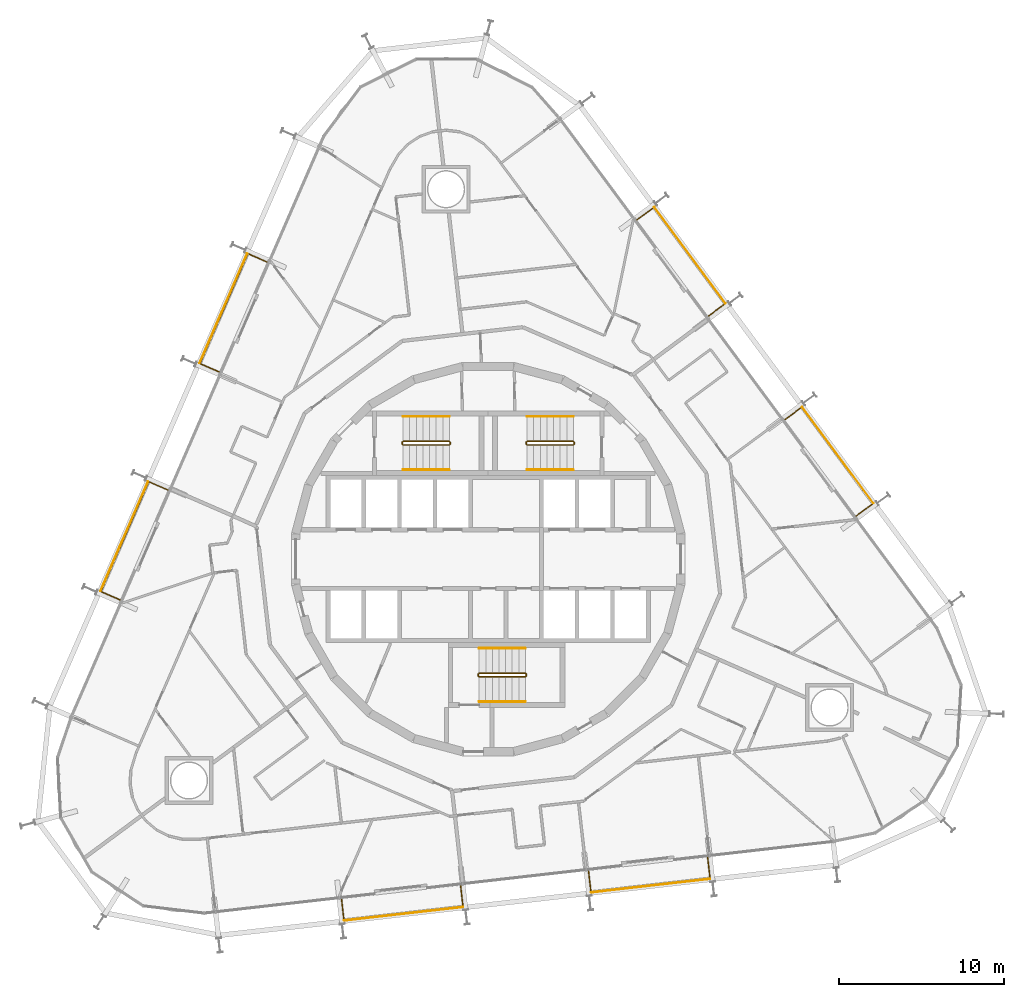
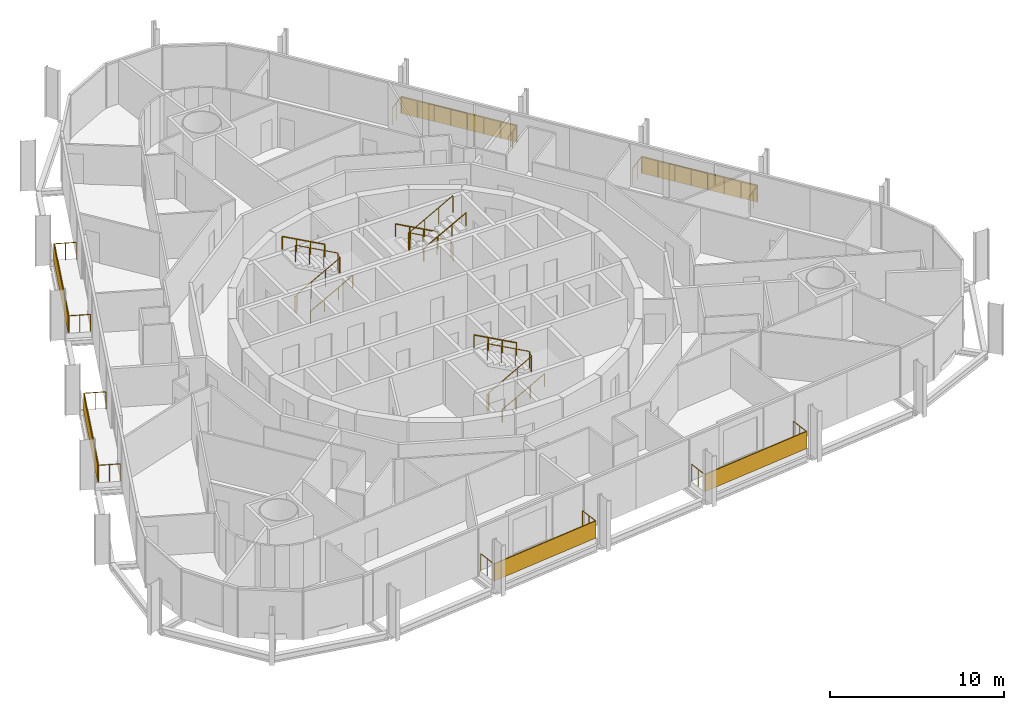
# One storey, part 23 of 23: 15 railings, 6 shading devices.
"""IFC4 building model written with IfcOpenShell, lengths in metres."""

from ifc_helpers import new_model, si_unit, direction, frame, origin, origin_2d, place, context, subcontext, project, spatial, rectangle, circle, extrude, material, layer, layer_set, type_object, element, save


model = new_model("IFC4")

# Units and contexts
model_context = context("Model", 3, precision=1e-05, world=origin(), true_north=direction((0.0, 1.0)))
body_context = subcontext(model_context, "Body", "Model", "MODEL_VIEW")
ifc_project = project(units=[si_unit("LENGTHUNIT", "METRE"), si_unit("AREAUNIT", "SQUARE_METRE"), si_unit("VOLUMEUNIT", "CUBIC_METRE"), si_unit("PLANEANGLEUNIT", "RADIAN"), si_unit("MASSUNIT", "GRAM", prefix="KILO")], contexts=[model_context])

# Site, building, storey
site_placement = place(None, origin())
site = spatial("IfcSite", under=ifc_project, at=site_placement, CompositionType="ELEMENT")
building_placement = place(site_placement, origin())
building = spatial("IfcBuilding", under=site, at=building_placement, Name="Spindle Arch Residences", CompositionType="ELEMENT")
storey_placement = place(building_placement, frame((0.0, 0.0, 83.699951171875)))
storey = spatial("IfcBuildingStorey", under=building, at=storey_placement, Name="L19", CompositionType="ELEMENT", Elevation=83.699951171875)

# Railings
ifc_material_1 = material(Name="Bronze anodised aluminium guard with glass infill", Category="aluminium")
railing_type_1 = type_object("IfcRailingType", Name="Balcony guard 1200", PredefinedType="GUARDRAIL", material=ifc_material_1)
railing_1_placement = place(storey_placement, frame((6.07080078125, -18.881591796875, 0.0)))
element("IfcRailing", 1, at=railing_1_placement, inside=storey, type_object=railing_type_1, Name="Guard L19 bay 1", PredefinedType="GUARDRAIL", context=body_context, shape_type="SweptSolid", body=[
    extrude(circle(Radius=0.02392578125, at=origin_2d()), frame((0.0, 0.0, 1.17578125), z_axis=(0.11328218126, -0.993562855289, 0.0), x_axis=(0.993562855289, 0.11328218126, 0.0)), (0.0, 0.0, 1.0), 1.25),
    extrude(circle(Radius=0.02392578125, at=origin_2d()), frame((0.1416015625, -1.241943359375, 1.17578125), z_axis=(0.993572236179, 0.113199874095, 0.0), x_axis=(-0.113199874095, 0.993572236179, 0.0)), (0.0, 0.0, 1.0), 7.248779296875),
    extrude(circle(Radius=0.02392578125, at=origin_2d()), frame((7.34375, -0.42138671875, 1.17578125), z_axis=(-0.113089367196, 0.993584820248, 0.0), x_axis=(-0.993584820248, -0.113089367196, 0.0)), (0.0, 0.0, 1.0), 1.25),
    extrude(circle(Radius=0.02099609375, at=origin_2d()), origin(), (0.0, 0.0, 1.0), 1.15185546875),
    extrude(circle(Radius=0.02099609375, at=origin_2d()), frame((0.07080078125, -0.62109375, 0.0)), (0.0, 0.0, 1.0), 1.15185546875),
    extrude(circle(Radius=0.02099609375, at=origin_2d()), frame((0.1416015625, -1.241943359375, 0.0)), (0.0, 0.0, 1.0), 1.15185546875),
    extrude(circle(Radius=0.02099609375, at=origin_2d()), frame((1.17041015625, -1.124755859375, 0.0)), (0.0, 0.0, 1.0), 1.15185546875),
    extrude(circle(Radius=0.02099609375, at=origin_2d()), frame((2.199462890625, -1.007568359375, 0.0)), (0.0, 0.0, 1.0), 1.15185546875),
    extrude(circle(Radius=0.02099609375, at=origin_2d()), frame((3.228271484375, -0.890380859375, 0.0)), (0.0, 0.0, 1.0), 1.15185546875),
    extrude(circle(Radius=0.02099609375, at=origin_2d()), frame((4.257080078125, -0.77294921875, 0.0)), (0.0, 0.0, 1.0), 1.15185546875),
    extrude(circle(Radius=0.02099609375, at=origin_2d()), frame((5.285888671875, -0.65576171875, 0.0)), (0.0, 0.0, 1.0), 1.15185546875),
    extrude(circle(Radius=0.02099609375, at=origin_2d()), frame((6.31494140625, -0.53857421875, 0.0)), (0.0, 0.0, 1.0), 1.15185546875),
    extrude(circle(Radius=0.02099609375, at=origin_2d()), frame((7.34375, -0.42138671875, 0.0)), (0.0, 0.0, 1.0), 1.15185546875),
    extrude(circle(Radius=0.02099609375, at=origin_2d()), frame((7.27294921875, 0.19970703125, 0.0)), (0.0, 0.0, 1.0), 1.15185546875),
    extrude(circle(Radius=0.02099609375, at=origin_2d()), frame((7.202392578125, 0.820556640625, 0.0)), (0.0, 0.0, 1.0), 1.15185546875),
])
railing_2_placement = place(storey_placement, frame((22.26123046875, 2.6103515625, 0.0)))
element("IfcRailing", 2, at=railing_2_placement, inside=storey, type_object=railing_type_1, Name="Guard L19 bay 7", PredefinedType="GUARDRAIL", context=body_context, shape_type="SweptSolid", body=[
    extrude(circle(Radius=0.02392578125, at=origin_2d()), frame((0.0, 0.0, 1.17578125), z_axis=(0.803920341668, 0.594736987459, 0.0), x_axis=(-0.594736987459, 0.803920341668, 0.0)), (0.0, 0.0, 1.0), 1.25),
    extrude(circle(Radius=0.02392578125, at=origin_2d()), frame((1.0048828125, 0.743408203125, 1.17578125), z_axis=(-0.594814278624, 0.803863156231, 0.0), x_axis=(-0.803863156231, -0.594814278624, 0.0)), (0.0, 0.0, 1.0), 7.2490234375),
    extrude(circle(Radius=0.02392578125, at=origin_2d()), frame((-3.306884765625, 6.570556640625, 1.17578125), z_axis=(-0.803826957932, -0.594863195787, 0.0), x_axis=(0.594863195787, -0.803826957932, 0.0)), (0.0, 0.0, 1.0), 1.250244140625),
    extrude(circle(Radius=0.02099609375, at=origin_2d()), origin(), (0.0, 0.0, 1.0), 1.15185546875),
    extrude(circle(Radius=0.02099609375, at=origin_2d()), frame((0.50244140625, 0.37158203125, 0.0)), (0.0, 0.0, 1.0), 1.15185546875),
    extrude(circle(Radius=0.02099609375, at=origin_2d()), frame((1.0048828125, 0.743408203125, 0.0)), (0.0, 0.0, 1.0), 1.15185546875),
    extrude(circle(Radius=0.02099609375, at=origin_2d()), frame((0.388916015625, 1.575927734375, 0.0)), (0.0, 0.0, 1.0), 1.15185546875),
    extrude(circle(Radius=0.02099609375, at=origin_2d()), frame((-0.22705078125, 2.408203125, 0.0)), (0.0, 0.0, 1.0), 1.15185546875),
    extrude(circle(Radius=0.02099609375, at=origin_2d()), frame((-0.843017578125, 3.24072265625, 0.0)), (0.0, 0.0, 1.0), 1.15185546875),
    extrude(circle(Radius=0.02099609375, at=origin_2d()), frame((-1.458984375, 4.0732421875, 0.0)), (0.0, 0.0, 1.0), 1.15185546875),
    extrude(circle(Radius=0.02099609375, at=origin_2d()), frame((-2.074951171875, 4.90576171875, 0.0)), (0.0, 0.0, 1.0), 1.15185546875),
    extrude(circle(Radius=0.02099609375, at=origin_2d()), frame((-2.69091796875, 5.738037109375, 0.0)), (0.0, 0.0, 1.0), 1.15185546875),
    extrude(circle(Radius=0.02099609375, at=origin_2d()), frame((-3.306884765625, 6.570556640625, 0.0)), (0.0, 0.0, 1.0), 1.15185546875),
    extrude(circle(Radius=0.02099609375, at=origin_2d()), frame((-3.809326171875, 6.19873046875, 0.0)), (0.0, 0.0, 1.0), 1.15185546875),
    extrude(circle(Radius=0.02099609375, at=origin_2d()), frame((-4.311767578125, 5.826904296875, 0.0)), (0.0, 0.0, 1.0), 1.15185546875),
])
railing_3_placement = place(storey_placement, frame((13.316650390625, 14.698486328125, 0.0)))
element("IfcRailing", 3, at=railing_3_placement, inside=storey, type_object=railing_type_1, Name="Guard L19 bay 9", PredefinedType="GUARDRAIL", context=body_context, shape_type="SweptSolid", body=[
    extrude(circle(Radius=0.02392578125, at=origin_2d()), frame((0.0, 0.0, 1.17578125), z_axis=(0.803851239792, 0.594830382786, 0.0), x_axis=(-0.594830382786, 0.803851239792, 0.0)), (0.0, 0.0, 1.0), 1.249755859375),
    extrude(circle(Radius=0.02392578125, at=origin_2d()), frame((1.004638671875, 0.743408203125, 1.17578125), z_axis=(-0.594830382786, 0.803851239792, 0.0), x_axis=(-0.803851239792, -0.594830382786, 0.0)), (0.0, 0.0, 1.0), 7.248779296875),
    extrude(circle(Radius=0.02392578125, at=origin_2d()), frame((-3.30712890625, 6.5703125, 1.17578125), z_axis=(-0.803851239792, -0.594830382786, 0.0), x_axis=(0.594830382786, -0.803851239792, 0.0)), (0.0, 0.0, 1.0), 1.249755859375),
    extrude(circle(Radius=0.02099609375, at=origin_2d()), origin(), (0.0, 0.0, 1.0), 1.15185546875),
    extrude(circle(Radius=0.02099609375, at=origin_2d()), frame((0.50244140625, 0.37158203125, 0.0)), (0.0, 0.0, 1.0), 1.15185546875),
    extrude(circle(Radius=0.02099609375, at=origin_2d()), frame((1.004638671875, 0.743408203125, 0.0)), (0.0, 0.0, 1.0), 1.15185546875),
    extrude(circle(Radius=0.02099609375, at=origin_2d()), frame((0.388671875, 1.575927734375, 0.0)), (0.0, 0.0, 1.0), 1.15185546875),
    extrude(circle(Radius=0.02099609375, at=origin_2d()), frame((-0.227294921875, 2.408203125, 0.0)), (0.0, 0.0, 1.0), 1.15185546875),
    extrude(circle(Radius=0.02099609375, at=origin_2d()), frame((-0.84326171875, 3.24072265625, 0.0)), (0.0, 0.0, 1.0), 1.15185546875),
    extrude(circle(Radius=0.02099609375, at=origin_2d()), frame((-1.459228515625, 4.072998046875, 0.0)), (0.0, 0.0, 1.0), 1.15185546875),
    extrude(circle(Radius=0.02099609375, at=origin_2d()), frame((-2.0751953125, 4.905517578125, 0.0)), (0.0, 0.0, 1.0), 1.15185546875),
    extrude(circle(Radius=0.02099609375, at=origin_2d()), frame((-2.691162109375, 5.73779296875, 0.0)), (0.0, 0.0, 1.0), 1.15185546875),
    extrude(circle(Radius=0.02099609375, at=origin_2d()), frame((-3.30712890625, 6.5703125, 0.0)), (0.0, 0.0, 1.0), 1.15185546875),
    extrude(circle(Radius=0.02099609375, at=origin_2d()), frame((-3.8095703125, 6.19873046875, 0.0)), (0.0, 0.0, 1.0), 1.15185546875),
    extrude(circle(Radius=0.02099609375, at=origin_2d()), frame((-4.311767578125, 5.826904296875, 0.0)), (0.0, 0.0, 1.0), 1.15185546875),
])
railing_4_placement = place(storey_placement, frame((-13.39111328125, 17.9736328125, 0.0)))
element("IfcRailing", 4, at=railing_4_placement, inside=storey, type_object=railing_type_1, Name="Guard L19 bay 15", PredefinedType="GUARDRAIL", context=body_context, shape_type="SweptSolid", body=[
    extrude(circle(Radius=0.02392578125, at=origin_2d()), frame((0.0, 0.0, 1.17578125), z_axis=(-0.917051427253, 0.398768955377, 0.0), x_axis=(-0.398768955377, -0.917051427253, 0.0)), (0.0, 0.0, 1.0), 1.250244140625),
    extrude(circle(Radius=0.02392578125, at=origin_2d()), frame((-1.146484375, 0.49853515625, 1.17578125), z_axis=(-0.398734732131, -0.917066308067, 0.0), x_axis=(0.917066308067, -0.398734732131, 0.0)), (0.0, 0.0, 1.0), 7.248779296875),
    extrude(circle(Radius=0.02392578125, at=origin_2d()), frame((-4.036865234375, -6.149169921875, 1.17578125), z_axis=(0.917091793142, -0.398676112844, 0.0), x_axis=(0.398676112844, 0.917091793142, 0.0)), (0.0, 0.0, 1.0), 1.249755859375),
    extrude(circle(Radius=0.02099609375, at=origin_2d()), origin(), (0.0, 0.0, 1.0), 1.15185546875),
    extrude(circle(Radius=0.02099609375, at=origin_2d()), frame((-0.5732421875, 0.249267578125, 0.0)), (0.0, 0.0, 1.0), 1.15185546875),
    extrude(circle(Radius=0.02099609375, at=origin_2d()), frame((-1.146484375, 0.49853515625, 0.0)), (0.0, 0.0, 1.0), 1.15185546875),
    extrude(circle(Radius=0.02099609375, at=origin_2d()), frame((-1.559326171875, -0.451171875, 0.0)), (0.0, 0.0, 1.0), 1.15185546875),
    extrude(circle(Radius=0.02099609375, at=origin_2d()), frame((-1.972412109375, -1.40087890625, 0.0)), (0.0, 0.0, 1.0), 1.15185546875),
    extrude(circle(Radius=0.02099609375, at=origin_2d()), frame((-2.38525390625, -2.3505859375, 0.0)), (0.0, 0.0, 1.0), 1.15185546875),
    extrude(circle(Radius=0.02099609375, at=origin_2d()), frame((-2.798095703125, -3.300048828125, 0.0)), (0.0, 0.0, 1.0), 1.15185546875),
    extrude(circle(Radius=0.02099609375, at=origin_2d()), frame((-3.2109375, -4.249755859375, 0.0)), (0.0, 0.0, 1.0), 1.15185546875),
    extrude(circle(Radius=0.02099609375, at=origin_2d()), frame((-3.6240234375, -5.199462890625, 0.0)), (0.0, 0.0, 1.0), 1.15185546875),
    extrude(circle(Radius=0.02099609375, at=origin_2d()), frame((-4.036865234375, -6.149169921875, 0.0)), (0.0, 0.0, 1.0), 1.15185546875),
    extrude(circle(Radius=0.02099609375, at=origin_2d()), frame((-3.4638671875, -6.3984375, 0.0)), (0.0, 0.0, 1.0), 1.15185546875),
    extrude(circle(Radius=0.02099609375, at=origin_2d()), frame((-2.890625, -6.6474609375, 0.0)), (0.0, 0.0, 1.0), 1.15185546875),
])
railing_5_placement = place(storey_placement, frame((-19.387451171875, 4.183349609375, 0.0)))
element("IfcRailing", 5, at=railing_5_placement, inside=storey, type_object=railing_type_1, Name="Guard L19 bay 17", PredefinedType="GUARDRAIL", context=body_context, shape_type="SweptSolid", body=[
    extrude(circle(Radius=0.02392578125, at=origin_2d()), frame((0.0, 0.0, 1.17578125), z_axis=(-0.917091793142, 0.398676112844, 0.0), x_axis=(-0.398676112844, -0.917091793142, 0.0)), (0.0, 0.0, 1.0), 1.249755859375),
    extrude(circle(Radius=0.02392578125, at=origin_2d()), frame((-1.146240234375, 0.498291015625, 1.17578125), z_axis=(-0.39877537304, -0.917048636582, 0.0), x_axis=(0.917048636582, -0.39877537304, 0.0)), (0.0, 0.0, 1.0), 7.248779296875),
    extrude(circle(Radius=0.02392578125, at=origin_2d()), frame((-4.036865234375, -6.149169921875, 1.17578125), z_axis=(0.917051427253, -0.398768955377, 0.0), x_axis=(0.398768955377, 0.917051427253, 0.0)), (0.0, 0.0, 1.0), 1.250244140625),
    extrude(circle(Radius=0.02099609375, at=origin_2d()), origin(), (0.0, 0.0, 1.0), 1.15185546875),
    extrude(circle(Radius=0.02099609375, at=origin_2d()), frame((-0.5732421875, 0.2490234375, 0.0)), (0.0, 0.0, 1.0), 1.15185546875),
    extrude(circle(Radius=0.02099609375, at=origin_2d()), frame((-1.146240234375, 0.498291015625, 0.0)), (0.0, 0.0, 1.0), 1.15185546875),
    extrude(circle(Radius=0.02099609375, at=origin_2d()), frame((-1.55908203125, -0.451416015625, 0.0)), (0.0, 0.0, 1.0), 1.15185546875),
    extrude(circle(Radius=0.02099609375, at=origin_2d()), frame((-1.97216796875, -1.40087890625, 0.0)), (0.0, 0.0, 1.0), 1.15185546875),
    extrude(circle(Radius=0.02099609375, at=origin_2d()), frame((-2.385009765625, -2.3505859375, 0.0)), (0.0, 0.0, 1.0), 1.15185546875),
    extrude(circle(Radius=0.02099609375, at=origin_2d()), frame((-2.798095703125, -3.30029296875, 0.0)), (0.0, 0.0, 1.0), 1.15185546875),
    extrude(circle(Radius=0.02099609375, at=origin_2d()), frame((-3.2109375, -4.25, 0.0)), (0.0, 0.0, 1.0), 1.15185546875),
    extrude(circle(Radius=0.02099609375, at=origin_2d()), frame((-3.6240234375, -5.199462890625, 0.0)), (0.0, 0.0, 1.0), 1.15185546875),
    extrude(circle(Radius=0.02099609375, at=origin_2d()), frame((-4.036865234375, -6.149169921875, 0.0)), (0.0, 0.0, 1.0), 1.15185546875),
    extrude(circle(Radius=0.02099609375, at=origin_2d()), frame((-3.463623046875, -6.3984375, 0.0)), (0.0, 0.0, 1.0), 1.15185546875),
    extrude(circle(Radius=0.02099609375, at=origin_2d()), frame((-2.890380859375, -6.647705078125, 0.0)), (0.0, 0.0, 1.0), 1.15185546875),
])
railing_6_placement = place(storey_placement, frame((-8.8701171875, -20.583984375, 0.0)))
element("IfcRailing", 6, at=railing_6_placement, inside=storey, type_object=railing_type_1, Name="Guard L19 bay 23", PredefinedType="GUARDRAIL", context=body_context, shape_type="SweptSolid", body=[
    extrude(circle(Radius=0.02392578125, at=origin_2d()), frame((0.0, 0.0, 1.17578125), z_axis=(0.11328218126, -0.993562855289, 0.0), x_axis=(0.993562855289, 0.11328218126, 0.0)), (0.0, 0.0, 1.0), 1.25),
    extrude(circle(Radius=0.02392578125, at=origin_2d()), frame((0.1416015625, -1.241943359375, 1.17578125), z_axis=(0.993572236179, 0.113199874095, 0.0), x_axis=(-0.113199874095, 0.993572236179, 0.0)), (0.0, 0.0, 1.0), 7.248779296875),
    extrude(circle(Radius=0.02392578125, at=origin_2d()), frame((7.34375, -0.42138671875, 1.17578125), z_axis=(-0.11328218126, 0.993562855289, 0.0), x_axis=(-0.993562855289, -0.11328218126, 0.0)), (0.0, 0.0, 1.0), 1.25),
    extrude(circle(Radius=0.02099609375, at=origin_2d()), origin(), (0.0, 0.0, 1.0), 1.15185546875),
    extrude(circle(Radius=0.02099609375, at=origin_2d()), frame((0.07080078125, -0.62109375, 0.0)), (0.0, 0.0, 1.0), 1.15185546875),
    extrude(circle(Radius=0.02099609375, at=origin_2d()), frame((0.1416015625, -1.241943359375, 0.0)), (0.0, 0.0, 1.0), 1.15185546875),
    extrude(circle(Radius=0.02099609375, at=origin_2d()), frame((1.17041015625, -1.124755859375, 0.0)), (0.0, 0.0, 1.0), 1.15185546875),
    extrude(circle(Radius=0.02099609375, at=origin_2d()), frame((2.199462890625, -1.007568359375, 0.0)), (0.0, 0.0, 1.0), 1.15185546875),
    extrude(circle(Radius=0.02099609375, at=origin_2d()), frame((3.228271484375, -0.890380859375, 0.0)), (0.0, 0.0, 1.0), 1.15185546875),
    extrude(circle(Radius=0.02099609375, at=origin_2d()), frame((4.257080078125, -0.77294921875, 0.0)), (0.0, 0.0, 1.0), 1.15185546875),
    extrude(circle(Radius=0.02099609375, at=origin_2d()), frame((5.285888671875, -0.65576171875, 0.0)), (0.0, 0.0, 1.0), 1.15185546875),
    extrude(circle(Radius=0.02099609375, at=origin_2d()), frame((6.31494140625, -0.53857421875, 0.0)), (0.0, 0.0, 1.0), 1.15185546875),
    extrude(circle(Radius=0.02099609375, at=origin_2d()), frame((7.34375, -0.42138671875, 0.0)), (0.0, 0.0, 1.0), 1.15185546875),
    extrude(circle(Radius=0.02099609375, at=origin_2d()), frame((7.27294921875, 0.19970703125, 0.0)), (0.0, 0.0, 1.0), 1.15185546875),
    extrude(circle(Radius=0.02099609375, at=origin_2d()), frame((7.2021484375, 0.820556640625, 0.0)), (0.0, 0.0, 1.0), 1.15185546875),
])

# Shading devices
ifc_material_2 = material(Name="Bronze perforated cobogo screen")
ifc_layer = layer(ifc_material_2, 0.0390625)
ifc_layer_set = layer_set([ifc_layer], Name="Cobogo screen 1200")
shading_device_type = type_object("IfcShadingDeviceType", Name="Cobogo screen 1200", PredefinedType="USERDEFINED", material=ifc_layer_set)
for number, where, z_axis, x_axis, name in (
    (7, (9.818115234375, -19.753662109375, 0.0), (0.0, 0.0, 1.0), (0.993571855677, 0.113203213768, 0.0), "Cobogo screen L19 bay 1"),
    (8, (21.142822265625, 6.29150390625, 0.0), (0.0, 0.0, 1.0), (-0.594822786751, 0.803856860617, 0.0), "Cobogo screen L19 bay 7"),
    (9, (12.197998046875, 18.37939453125, 0.0), (0.0, 0.0, 1.0), (-0.594822786751, 0.803856860617, 0.0), "Cobogo screen L19 bay 9"),
    (10, (-16.019775390625, 15.16455078125, 0.0), (0.0, 0.0, 1.0), (-0.398749068925, -0.917060074385, 0.0), "Cobogo screen L19 bay 15"),
    (11, (-22.01611328125, 1.3740234375, 0.0), (0.0, 0.0, 1.0), (-0.398749068925, -0.917060074385, 0.0), "Cobogo screen L19 bay 17"),
    (12, (-5.122802734375, -21.455810546875, 0.0), (0.0, 0.0, 1.0), (0.993571855677, 0.113203213768, 0.0), "Cobogo screen L19 bay 23"),
):
    element("IfcShadingDevice", number, at=place(storey_placement, frame(where, z_axis=z_axis, x_axis=x_axis)), inside=storey, type_object=shading_device_type, Name=name, ObjectType="SCREEN", PredefinedType="USERDEFINED", context=body_context, shape_type="SweptSolid", body=[
        extrude(rectangle(XDim=7.248779296875, YDim=0.0390625, at=origin_2d()), origin(), (0.0, 0.0, 1.0), 1.199951171875),
    ])

# Railings
ifc_material_3 = material(Name="Steel, painted", Category="steel")
railing_type_2 = type_object("IfcRailingType", Name="Stair guard 1100", PredefinedType="GUARDRAIL", material=ifc_material_3)
railing_7_placement = place(storey_placement, frame((5.14990234375, 6.89990234375, 3.5)))
element("IfcRailing", 13, at=railing_7_placement, inside=storey, type_object=railing_type_2, Name="L19 ST1 stair guard 1", PredefinedType="GUARDRAIL", context=body_context, shape_type="SweptSolid", body=[
    extrude(circle(Radius=0.02392578125, at=origin_2d()), frame((0.0, 0.0, 1.17578125), z_axis=(-0.877357048833, 0.0, -0.479838106931), x_axis=(0.0, -1.0, 0.0)), (0.0, 0.0, 1.0), 3.191162109375),
    extrude(circle(Radius=0.02392578125, at=origin_2d()), frame((-2.7998046875, 0.0, -0.35546875), z_axis=(-0.217683172539, 0.217683172539, -0.951434744366), x_axis=(-0.707106781187, -0.707106781187, 0.0)), (0.0, 0.0, 1.0), 0.22998046875),
    extrude(circle(Radius=0.02392578125, at=origin_2d()), frame((-2.849853515625, 0.050048828125, -0.57421875), z_axis=(0.0, 1.0, 0.0), x_axis=(-1.0, 0.0, 0.0)), (0.0, 0.0, 1.0), 0.1201171875),
    extrude(circle(Radius=0.02392578125, at=origin_2d()), frame((-2.849853515625, 0.170166015625, -0.57421875), z_axis=(0.707106781187, 0.707106781187, 0.0), x_axis=(-0.707106781187, 0.707106781187, 0.0)), (0.0, 0.0, 1.0), 0.07080078125),
    extrude(circle(Radius=0.02392578125, at=origin_2d()), frame((-2.7998046875, 0.22021484375, -0.57421875), z_axis=(0.877357048833, 0.0, -0.479838106931), x_axis=(0.0, 1.0, 0.0)), (0.0, 0.0, 1.0), 3.191162109375),
    extrude(circle(Radius=0.02392578125, at=origin_2d()), frame((0.0, 0.22021484375, -2.10546875), z_axis=(0.217683172539, -0.217683172539, -0.951434744366), x_axis=(0.707106781187, 0.707106781187, 0.0)), (0.0, 0.0, 1.0), 0.22998046875),
    extrude(circle(Radius=0.02392578125, at=origin_2d()), frame((0.050048828125, 0.170166015625, -2.32421875), z_axis=(0.0, -1.0, 0.0), x_axis=(1.0, 0.0, 0.0)), (0.0, 0.0, 1.0), 0.1201171875),
    extrude(circle(Radius=0.02099609375, at=origin_2d()), origin(), (0.0, 0.0, 1.0), 1.15185546875),
    extrude(circle(Radius=0.02099609375, at=origin_2d()), frame((-0.933349609375, 0.0, -0.510498046875)), (0.0, 0.0, 1.0), 1.15185546875),
    extrude(circle(Radius=0.02099609375, at=origin_2d()), frame((-1.866455078125, 0.0, -1.020751953125)), (0.0, 0.0, 1.0), 1.15185546875),
    extrude(circle(Radius=0.02099609375, at=origin_2d()), frame((-2.7998046875, 0.0, -1.53125)), (0.0, 0.0, 1.0), 1.15185546875),
    extrude(circle(Radius=0.02099609375, at=origin_2d()), frame((-2.849853515625, 0.050048828125, -1.75)), (0.0, 0.0, 1.0), 1.15185546875),
    extrude(circle(Radius=0.02099609375, at=origin_2d()), frame((-2.849853515625, 0.170166015625, -1.75)), (0.0, 0.0, 1.0), 1.15185546875),
    extrude(circle(Radius=0.02099609375, at=origin_2d()), frame((-2.7998046875, 0.22021484375, -1.75)), (0.0, 0.0, 1.0), 1.15185546875),
    extrude(circle(Radius=0.02099609375, at=origin_2d()), frame((-1.866455078125, 0.22021484375, -2.260498046875)), (0.0, 0.0, 1.0), 1.15185546875),
    extrude(circle(Radius=0.02099609375, at=origin_2d()), frame((-0.933349609375, 0.22021484375, -2.770751953125)), (0.0, 0.0, 1.0), 1.15185546875),
    extrude(circle(Radius=0.02099609375, at=origin_2d()), frame((0.0, 0.22021484375, -3.28125)), (0.0, 0.0, 1.0), 1.15185546875),
    extrude(circle(Radius=0.02099609375, at=origin_2d()), frame((0.050048828125, 0.170166015625, -3.5)), (0.0, 0.0, 1.0), 1.15185546875),
    extrude(circle(Radius=0.02099609375, at=origin_2d()), frame((0.050048828125, 0.050048828125, -3.5)), (0.0, 0.0, 1.0), 1.15185546875),
])
railing_8_placement = place(storey_placement, frame((-5.14990234375, 7.1201171875, 3.5)))
element("IfcRailing", 14, at=railing_8_placement, inside=storey, type_object=railing_type_2, Name="L19 ST2 stair guard 1", PredefinedType="GUARDRAIL", context=body_context, shape_type="SweptSolid", body=[
    extrude(circle(Radius=0.02392578125, at=origin_2d()), frame((0.0, 0.0, 1.17578125), z_axis=(0.877357048833, 0.0, -0.479838106931), x_axis=(0.0, 1.0, 0.0)), (0.0, 0.0, 1.0), 3.191162109375),
    extrude(circle(Radius=0.02392578125, at=origin_2d()), frame((2.7998046875, 0.0, -0.35546875), z_axis=(0.217683172539, -0.217683172539, -0.951434744366), x_axis=(0.707106781187, 0.707106781187, 0.0)), (0.0, 0.0, 1.0), 0.22998046875),
    extrude(circle(Radius=0.02392578125, at=origin_2d()), frame((2.849853515625, -0.050048828125, -0.57421875), z_axis=(0.0, -1.0, 0.0), x_axis=(1.0, 0.0, 0.0)), (0.0, 0.0, 1.0), 0.1201171875),
    extrude(circle(Radius=0.02392578125, at=origin_2d()), frame((2.849853515625, -0.170166015625, -0.57421875), z_axis=(-0.707106781187, -0.707106781187, 0.0), x_axis=(0.707106781187, -0.707106781187, 0.0)), (0.0, 0.0, 1.0), 0.07080078125),
    extrude(circle(Radius=0.02392578125, at=origin_2d()), frame((2.7998046875, -0.22021484375, -0.57421875), z_axis=(-0.877357048833, 0.0, -0.479838106931), x_axis=(0.0, -1.0, 0.0)), (0.0, 0.0, 1.0), 3.191162109375),
    extrude(circle(Radius=0.02392578125, at=origin_2d()), frame((0.0, -0.22021484375, -2.10546875), z_axis=(-0.217683172539, 0.217683172539, -0.951434744366), x_axis=(-0.707106781187, -0.707106781187, 0.0)), (0.0, 0.0, 1.0), 0.22998046875),
    extrude(circle(Radius=0.02392578125, at=origin_2d()), frame((-0.050048828125, -0.170166015625, -2.32421875), z_axis=(0.0, 1.0, 0.0), x_axis=(-1.0, 0.0, 0.0)), (0.0, 0.0, 1.0), 0.1201171875),
    extrude(circle(Radius=0.02099609375, at=origin_2d()), origin(), (0.0, 0.0, 1.0), 1.15185546875),
    extrude(circle(Radius=0.02099609375, at=origin_2d()), frame((0.933349609375, 0.0, -0.510498046875)), (0.0, 0.0, 1.0), 1.15185546875),
    extrude(circle(Radius=0.02099609375, at=origin_2d()), frame((1.866455078125, 0.0, -1.020751953125)), (0.0, 0.0, 1.0), 1.15185546875),
    extrude(circle(Radius=0.02099609375, at=origin_2d()), frame((2.7998046875, 0.0, -1.53125)), (0.0, 0.0, 1.0), 1.15185546875),
    extrude(circle(Radius=0.02099609375, at=origin_2d()), frame((2.849853515625, -0.050048828125, -1.75)), (0.0, 0.0, 1.0), 1.15185546875),
    extrude(circle(Radius=0.02099609375, at=origin_2d()), frame((2.849853515625, -0.170166015625, -1.75)), (0.0, 0.0, 1.0), 1.15185546875),
    extrude(circle(Radius=0.02099609375, at=origin_2d()), frame((2.7998046875, -0.22021484375, -1.75)), (0.0, 0.0, 1.0), 1.15185546875),
    extrude(circle(Radius=0.02099609375, at=origin_2d()), frame((1.866455078125, -0.22021484375, -2.260498046875)), (0.0, 0.0, 1.0), 1.15185546875),
    extrude(circle(Radius=0.02099609375, at=origin_2d()), frame((0.933349609375, -0.22021484375, -2.770751953125)), (0.0, 0.0, 1.0), 1.15185546875),
    extrude(circle(Radius=0.02099609375, at=origin_2d()), frame((0.0, -0.22021484375, -3.28125)), (0.0, 0.0, 1.0), 1.15185546875),
    extrude(circle(Radius=0.02099609375, at=origin_2d()), frame((-0.050048828125, -0.170166015625, -3.5)), (0.0, 0.0, 1.0), 1.15185546875),
    extrude(circle(Radius=0.02099609375, at=origin_2d()), frame((-0.050048828125, -0.050048828125, -3.5)), (0.0, 0.0, 1.0), 1.15185546875),
])
railing_9_placement = place(storey_placement, frame((-0.550048828125, -6.89990234375, 3.5)))
element("IfcRailing", 15, at=railing_9_placement, inside=storey, type_object=railing_type_2, Name="L19 ST3 stair guard 1", PredefinedType="GUARDRAIL", context=body_context, shape_type="SweptSolid", body=[
    extrude(circle(Radius=0.02392578125, at=origin_2d()), frame((0.0, 0.0, 1.17578125), z_axis=(0.877374661878, 0.0, -0.479805901063), x_axis=(0.0, 1.0, 0.0)), (0.0, 0.0, 1.0), 3.19140625),
    extrude(circle(Radius=0.02392578125, at=origin_2d()), frame((2.800048828125, 0.0, -0.35546875), z_axis=(0.217683172539, -0.217683172539, -0.951434744366), x_axis=(0.707106781187, 0.707106781187, 0.0)), (0.0, 0.0, 1.0), 0.22998046875),
    extrude(circle(Radius=0.02392578125, at=origin_2d()), frame((2.85009765625, -0.050048828125, -0.57421875), z_axis=(0.0, -1.0, 0.0), x_axis=(1.0, 0.0, 0.0)), (0.0, 0.0, 1.0), 0.1201171875),
    extrude(circle(Radius=0.02392578125, at=origin_2d()), frame((2.85009765625, -0.170166015625, -0.57421875), z_axis=(-0.707106781187, -0.707106781187, 0.0), x_axis=(0.707106781187, -0.707106781187, 0.0)), (0.0, 0.0, 1.0), 0.07080078125),
    extrude(circle(Radius=0.02392578125, at=origin_2d()), frame((2.800048828125, -0.22021484375, -0.57421875), z_axis=(-0.877374661878, 0.0, -0.479805901063), x_axis=(0.0, -1.0, 0.0)), (0.0, 0.0, 1.0), 3.19140625),
    extrude(circle(Radius=0.02392578125, at=origin_2d()), frame((0.0, -0.22021484375, -2.10546875), z_axis=(-0.217683172539, 0.217683172539, -0.951434744366), x_axis=(-0.707106781187, -0.707106781187, 0.0)), (0.0, 0.0, 1.0), 0.22998046875),
    extrude(circle(Radius=0.02392578125, at=origin_2d()), frame((-0.050048828125, -0.170166015625, -2.32421875), z_axis=(0.0, 1.0, 0.0), x_axis=(-1.0, 0.0, 0.0)), (0.0, 0.0, 1.0), 0.1201171875),
    extrude(circle(Radius=0.02099609375, at=origin_2d()), origin(), (0.0, 0.0, 1.0), 1.15185546875),
    extrude(circle(Radius=0.02099609375, at=origin_2d()), frame((0.933349609375, 0.0, -0.510498046875)), (0.0, 0.0, 1.0), 1.15185546875),
    extrude(circle(Radius=0.02099609375, at=origin_2d()), frame((1.86669921875, 0.0, -1.020751953125)), (0.0, 0.0, 1.0), 1.15185546875),
    extrude(circle(Radius=0.02099609375, at=origin_2d()), frame((2.800048828125, 0.0, -1.53125)), (0.0, 0.0, 1.0), 1.15185546875),
    extrude(circle(Radius=0.02099609375, at=origin_2d()), frame((2.85009765625, -0.050048828125, -1.75)), (0.0, 0.0, 1.0), 1.15185546875),
    extrude(circle(Radius=0.02099609375, at=origin_2d()), frame((2.85009765625, -0.170166015625, -1.75)), (0.0, 0.0, 1.0), 1.15185546875),
    extrude(circle(Radius=0.02099609375, at=origin_2d()), frame((2.800048828125, -0.22021484375, -1.75)), (0.0, 0.0, 1.0), 1.15185546875),
    extrude(circle(Radius=0.02099609375, at=origin_2d()), frame((1.86669921875, -0.22021484375, -2.260498046875)), (0.0, 0.0, 1.0), 1.15185546875),
    extrude(circle(Radius=0.02099609375, at=origin_2d()), frame((0.933349609375, -0.22021484375, -2.770751953125)), (0.0, 0.0, 1.0), 1.15185546875),
    extrude(circle(Radius=0.02099609375, at=origin_2d()), frame((0.0, -0.22021484375, -3.28125)), (0.0, 0.0, 1.0), 1.15185546875),
    extrude(circle(Radius=0.02099609375, at=origin_2d()), frame((-0.050048828125, -0.170166015625, -3.5)), (0.0, 0.0, 1.0), 1.15185546875),
    extrude(circle(Radius=0.02099609375, at=origin_2d()), frame((-0.050048828125, -0.050048828125, -3.5)), (0.0, 0.0, 1.0), 1.15185546875),
])
ifc_material_4 = material(Name="Steel, painted", Category="steel")
railing_type_3 = type_object("IfcRailingType", Name="Stair handrail 900", PredefinedType="HANDRAIL", material=ifc_material_4)
railing_10_placement = place(storey_placement, frame((5.14990234375, 8.6201171875, 0.21875)))
element("IfcRailing", 16, at=railing_10_placement, inside=storey, type_object=railing_type_3, Name="L19 ST1 stair handrail 1", PredefinedType="HANDRAIL", context=body_context, shape_type="SweptSolid", body=[
    extrude(circle(Radius=0.02392578125, at=origin_2d()), frame((0.0, 0.0, 0.8759765625), z_axis=(-0.877357048833, 0.0, 0.479838106931), x_axis=(0.0, -1.0, 0.0)), (0.0, 0.0, 1.0), 3.191162109375),
    extrude(circle(Radius=0.02099609375, at=origin_2d()), origin(), (0.0, 0.0, 1.0), 0.851806640625),
    extrude(circle(Radius=0.02099609375, at=origin_2d()), frame((-0.933349609375, 0.0, 0.510498046875)), (0.0, 0.0, 1.0), 0.851806640625),
    extrude(circle(Radius=0.02099609375, at=origin_2d()), frame((-1.866455078125, 0.0, 1.020751953125)), (0.0, 0.0, 1.0), 0.851806640625),
    extrude(circle(Radius=0.02099609375, at=origin_2d()), frame((-2.7998046875, 0.0, 1.53125)), (0.0, 0.0, 1.0), 0.851806640625),
])
for number, where, name in (
    (17, (2.35009765625, 5.39990234375, 1.96875), "L19 ST1 stair handrail 2"),
    (18, (-5.14990234375, 5.39990234375, 0.21875), "L19 ST2 stair handrail 1"),
):
    element("IfcRailing", number, at=place(storey_placement, frame(where)), inside=storey, type_object=railing_type_3, Name=name, PredefinedType="HANDRAIL", context=body_context, shape_type="SweptSolid", body=[
        extrude(circle(Radius=0.02392578125, at=origin_2d()), frame((0.0, 0.0, 0.8759765625), z_axis=(0.877357048833, 0.0, 0.479838106931), x_axis=(0.0, 1.0, 0.0)), (0.0, 0.0, 1.0), 3.191162109375),
        extrude(circle(Radius=0.02099609375, at=origin_2d()), origin(), (0.0, 0.0, 1.0), 0.851806640625),
        extrude(circle(Radius=0.02099609375, at=origin_2d()), frame((0.933349609375, 0.0, 0.510498046875)), (0.0, 0.0, 1.0), 0.851806640625),
        extrude(circle(Radius=0.02099609375, at=origin_2d()), frame((1.866455078125, 0.0, 1.020751953125)), (0.0, 0.0, 1.0), 0.851806640625),
        extrude(circle(Radius=0.02099609375, at=origin_2d()), frame((2.7998046875, 0.0, 1.53125)), (0.0, 0.0, 1.0), 0.851806640625),
    ])
railing_11_placement = place(storey_placement, frame((-2.35009765625, 8.6201171875, 1.96875)))
element("IfcRailing", 19, at=railing_11_placement, inside=storey, type_object=railing_type_3, Name="L19 ST2 stair handrail 2", PredefinedType="HANDRAIL", context=body_context, shape_type="SweptSolid", body=[
    extrude(circle(Radius=0.02392578125, at=origin_2d()), frame((0.0, 0.0, 0.8759765625), z_axis=(-0.877357048833, 0.0, 0.479838106931), x_axis=(0.0, -1.0, 0.0)), (0.0, 0.0, 1.0), 3.191162109375),
    extrude(circle(Radius=0.02099609375, at=origin_2d()), origin(), (0.0, 0.0, 1.0), 0.851806640625),
    extrude(circle(Radius=0.02099609375, at=origin_2d()), frame((-0.933349609375, 0.0, 0.510498046875)), (0.0, 0.0, 1.0), 0.851806640625),
    extrude(circle(Radius=0.02099609375, at=origin_2d()), frame((-1.866455078125, 0.0, 1.020751953125)), (0.0, 0.0, 1.0), 0.851806640625),
    extrude(circle(Radius=0.02099609375, at=origin_2d()), frame((-2.7998046875, 0.0, 1.53125)), (0.0, 0.0, 1.0), 0.851806640625),
])
railing_12_placement = place(storey_placement, frame((-0.550048828125, -8.6201171875, 0.21875)))
element("IfcRailing", 20, at=railing_12_placement, inside=storey, type_object=railing_type_3, Name="L19 ST3 stair handrail 1", PredefinedType="HANDRAIL", context=body_context, shape_type="SweptSolid", body=[
    extrude(circle(Radius=0.02392578125, at=origin_2d()), frame((0.0, 0.0, 0.8759765625), z_axis=(0.877374661878, 0.0, 0.479805901063), x_axis=(0.0, 1.0, 0.0)), (0.0, 0.0, 1.0), 3.19140625),
    extrude(circle(Radius=0.02099609375, at=origin_2d()), origin(), (0.0, 0.0, 1.0), 0.851806640625),
    extrude(circle(Radius=0.02099609375, at=origin_2d()), frame((0.933349609375, 0.0, 0.510498046875)), (0.0, 0.0, 1.0), 0.851806640625),
    extrude(circle(Radius=0.02099609375, at=origin_2d()), frame((1.86669921875, 0.0, 1.020751953125)), (0.0, 0.0, 1.0), 0.851806640625),
    extrude(circle(Radius=0.02099609375, at=origin_2d()), frame((2.800048828125, 0.0, 1.53125)), (0.0, 0.0, 1.0), 0.851806640625),
])
railing_13_placement = place(storey_placement, frame((2.25, -5.39990234375, 1.96875)))
element("IfcRailing", 21, at=railing_13_placement, inside=storey, type_object=railing_type_3, Name="L19 ST3 stair handrail 2", PredefinedType="HANDRAIL", context=body_context, shape_type="SweptSolid", body=[
    extrude(circle(Radius=0.02392578125, at=origin_2d()), frame((0.0, 0.0, 0.8759765625), z_axis=(-0.877374661878, 0.0, 0.479805901063), x_axis=(0.0, -1.0, 0.0)), (0.0, 0.0, 1.0), 3.19140625),
    extrude(circle(Radius=0.02099609375, at=origin_2d()), origin(), (0.0, 0.0, 1.0), 0.851806640625),
    extrude(circle(Radius=0.02099609375, at=origin_2d()), frame((-0.933349609375, 0.0, 0.510498046875)), (0.0, 0.0, 1.0), 0.851806640625),
    extrude(circle(Radius=0.02099609375, at=origin_2d()), frame((-1.86669921875, 0.0, 1.020751953125)), (0.0, 0.0, 1.0), 0.851806640625),
    extrude(circle(Radius=0.02099609375, at=origin_2d()), frame((-2.800048828125, 0.0, 1.53125)), (0.0, 0.0, 1.0), 0.851806640625),
])

save(model, "model.ifc")
